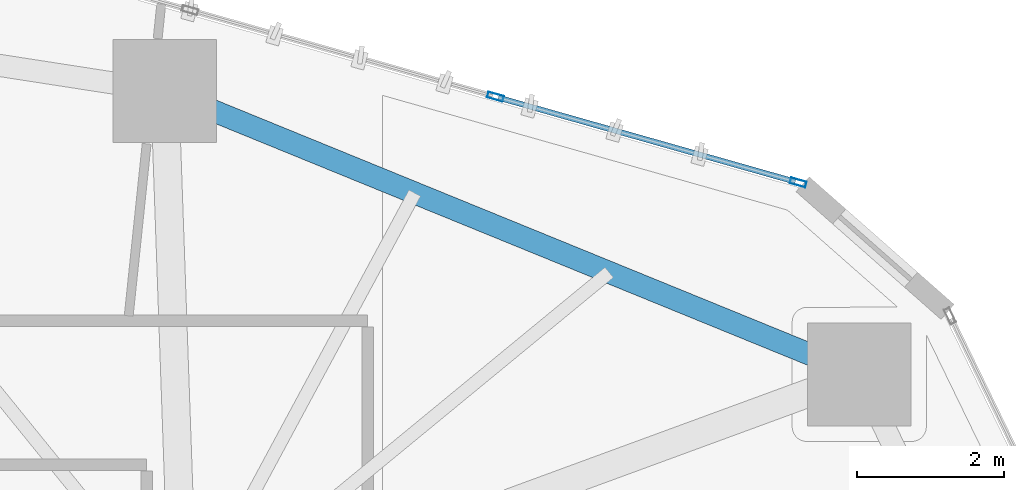
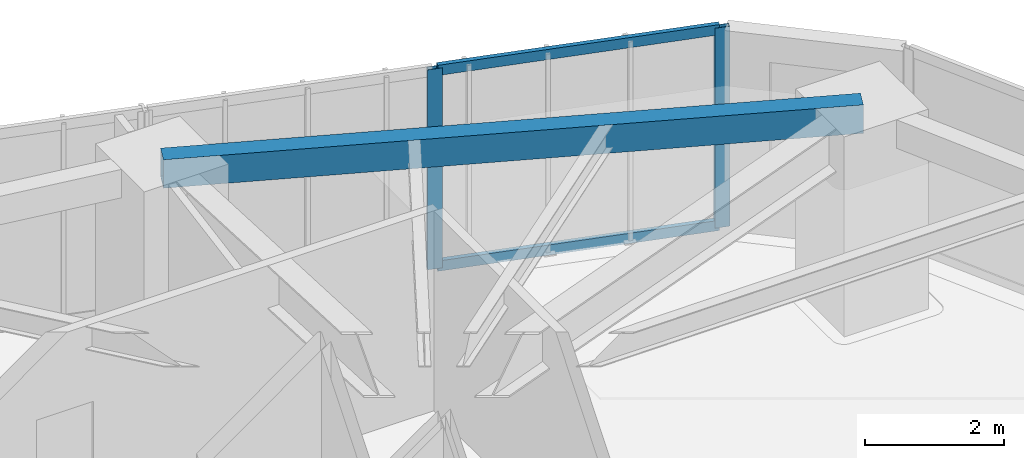
# One storey, part 17 of 24: 4 members, 1 beam, 1 element without a shape of its own.
"""IFC4 building model written with IfcOpenShell, lengths in metres."""

from ifc_helpers import new_model, si_unit, direction, frame, origin, origin_2d, place, context, subcontext, project, spatial, hollow_rectangle, extrude, source, transform, mapped, material, layer, layer_set, material_profile, profile_set, type_object, type_shapes, element, aggregate, save


model = new_model("IFC4")

# Units and contexts
model_context = context("Model", 3, precision=1e-05, world=origin(), true_north=direction((0.0, 1.0)))
body_context = subcontext(model_context, "Body", "Model", "MODEL_VIEW")
ifc_project = project(units=[si_unit("LENGTHUNIT", "METRE"), si_unit("AREAUNIT", "SQUARE_METRE"), si_unit("VOLUMEUNIT", "CUBIC_METRE"), si_unit("PLANEANGLEUNIT", "RADIAN"), si_unit("MASSUNIT", "GRAM", prefix="KILO")], contexts=[model_context])

# Site, building, storey
site_placement = place(None, origin())
site = spatial("IfcSite", under=ifc_project, at=site_placement, CompositionType="ELEMENT")
building_placement = place(site_placement, origin())
building = spatial("IfcBuilding", under=site, at=building_placement, Name="Talar Marvaseh", CompositionType="ELEMENT")
storey_placement = place(building_placement, frame((0.0, 0.0, 43.0)))
storey = spatial("IfcBuildingStorey", under=building, at=storey_placement, Name="L10", CompositionType="ELEMENT", Elevation=43.0)

# Beam
ifc_material_1 = material(Name="Steel S355", Category="steel")
ifc_material_profile_1 = material_profile(ifc_material_1, hollow_rectangle(XDim=0.300048828125, YDim=0.5, WallThickness=0.02001953125, at=origin_2d()), Name="RHS500x300x20")
ifc_profile_set_1 = profile_set([ifc_material_profile_1], Name="Steel S355")
beam_type = type_object("IfcBeamType", Name="Zone 1 Perimeter Spandrel Beam RHS500x300x20", PredefinedType="SPANDREL", material=ifc_profile_set_1)
beam_placement = place(storey_placement, frame((33.0458984375, 44.117919921875, 3.27001953125), z_axis=(0.92586732306, -0.377848779395, 0.0), x_axis=(0.377848779395, 0.92586732306, 0.0)))
element("IfcBeam", 1, at=beam_placement, inside=storey, type_object=beam_type, Name="L10 Zone 1 Perimeter Spandrel Beam RHS500x300x20", PredefinedType="SPANDREL", context=body_context, shape_type="SweptSolid", body=[
    extrude(hollow_rectangle(XDim=0.300048828125, YDim=0.5, WallThickness=0.02001953125, at=origin_2d()), origin(), (0.0, 0.0, 1.0), 10.186279296875),
])

# Curtain wall, members
ifc_material_2 = material(Name="Architectural Aluminium", Category="aluminium")
ifc_layer = layer(ifc_material_2, 0.219970703125)
ifc_layer_set = layer_set([ifc_layer], Name="Architectural Aluminium")
curtain_wall_type = type_object("IfcCurtainWallType", Name="Unitised Low-E Museum Curtain Wall Z1", PredefinedType="NOTDEFINED", material=ifc_layer_set)
curtain_wall_placement = place(storey_placement, origin())
curtain_wall = element("IfcCurtainWall", 2, at=curtain_wall_placement, inside=storey, type_object=curtain_wall_type, Name="L10 Unitised Low-E Museum Curtain Wall Z1", PredefinedType="NOTDEFINED")
ifc_material_profile_2 = material_profile(ifc_material_2, hollow_rectangle(XDim=0.080078125, YDim=0.219970703125, WallThickness=0.0048828125, at=origin_2d()), Name="RHS220x80x5")
ifc_profile_set_2 = profile_set([ifc_material_profile_2], Name="Architectural Aluminium")
member_type_1 = type_object("IfcMemberType", Name="Unitised Curtain Wall Heavy Mullion RHS220x80x5", PredefinedType="MULLION", material=ifc_profile_set_2)
shared_shape_1 = source(origin(), body_context, "Body", "SweptSolid", [
    extrude(hollow_rectangle(XDim=0.080078125, YDim=0.219970703125, WallThickness=0.0048828125, at=origin_2d()), origin(), (0.0, 0.0, 1.0), 3.52001953125),
])
type_shapes(member_type_1, [shared_shape_1])
member_1_placement = place(storey_placement, frame((37.53662109375, 44.039794921875, 0.0), z_axis=(0.0, 0.0, 1.0), x_axis=(0.272578599403, 0.962133518358, 0.0)))
member_1 = element("IfcMember", 3, at=member_1_placement, type_object=member_type_1, Name="CW-Z1 mullion 4", PredefinedType="MULLION", context=body_context, shape_type="MappedRepresentation", body=[
    mapped(shared_shape_1, transform((0.0, 0.0, 0.0), x_axis=(1.0, 0.0, 0.0), y_axis=(0.0, 1.0, 0.0), z_axis=(0.0, 0.0, 1.0), scale=1.0)),
])
member_2_placement = place(storey_placement, frame((41.646728515625, 42.87548828125, 0.0), z_axis=(0.0, 0.0, 1.0), x_axis=(0.272578599403, 0.962133518358, 0.0)))
member_2 = element("IfcMember", 4, at=member_2_placement, type_object=member_type_1, Name="CW-Z1 mullion 5", PredefinedType="MULLION", context=body_context, shape_type="MappedRepresentation", body=[
    mapped(shared_shape_1, transform((0.0, 0.0, 0.0), x_axis=(1.0, 0.0, 0.0), y_axis=(0.0, 1.0, 0.0), z_axis=(0.0, 0.0, 1.0), scale=1.0)),
])
ifc_material_profile_3 = material_profile(ifc_material_2, hollow_rectangle(XDim=0.074951171875, YDim=0.179931640625, WallThickness=0.0048828125, at=origin_2d()), Name="RHS180x75x5")
ifc_profile_set_3 = profile_set([ifc_material_profile_3], Name="Architectural Aluminium")
member_type_2 = type_object("IfcMemberType", Name="Unitised Curtain Wall Transom RHS180x75x5", PredefinedType="USERDEFINED", material=ifc_profile_set_3)
shared_shape_2 = source(origin(), body_context, "Body", "SweptSolid", [
    extrude(hollow_rectangle(XDim=0.074951171875, YDim=0.179931640625, WallThickness=0.0048828125, at=origin_2d()), origin(), (0.0, 0.0, 1.0), 4.19189453125),
])
type_shapes(member_type_2, [shared_shape_2])
member_3_placement = place(storey_placement, frame((37.574951171875, 44.02880859375, 0.03759765625), z_axis=(0.962136909161, -0.27256663044, 0.0), x_axis=(0.27256663044, 0.962136909161, 0.0)))
member_3 = element("IfcMember", 5, at=member_3_placement, type_object=member_type_2, Name="CW-Z1 transom 4.1", ObjectType="TRANSOM", PredefinedType="USERDEFINED", context=body_context, shape_type="MappedRepresentation", body=[
    mapped(shared_shape_2, transform((0.0, 0.0, 0.0), x_axis=(1.0, 0.0, 0.0), y_axis=(0.0, 1.0, 0.0), z_axis=(0.0, 0.0, 1.0), scale=1.0)),
])
member_4_placement = place(storey_placement, frame((37.574951171875, 44.02880859375, 3.482421875), z_axis=(0.962136909161, -0.27256663044, 0.0), x_axis=(0.27256663044, 0.962136909161, 0.0)))
member_4 = element("IfcMember", 6, at=member_4_placement, type_object=member_type_2, Name="CW-Z1 transom 4.2", ObjectType="TRANSOM", PredefinedType="USERDEFINED", context=body_context, shape_type="MappedRepresentation", body=[
    mapped(shared_shape_2, transform((0.0, 0.0, 0.0), x_axis=(1.0, 0.0, 0.0), y_axis=(0.0, 1.0, 0.0), z_axis=(0.0, 0.0, 1.0), scale=1.0)),
])
aggregate(curtain_wall, [member_1, member_2, member_3, member_4])

save(model, "model.ifc")
